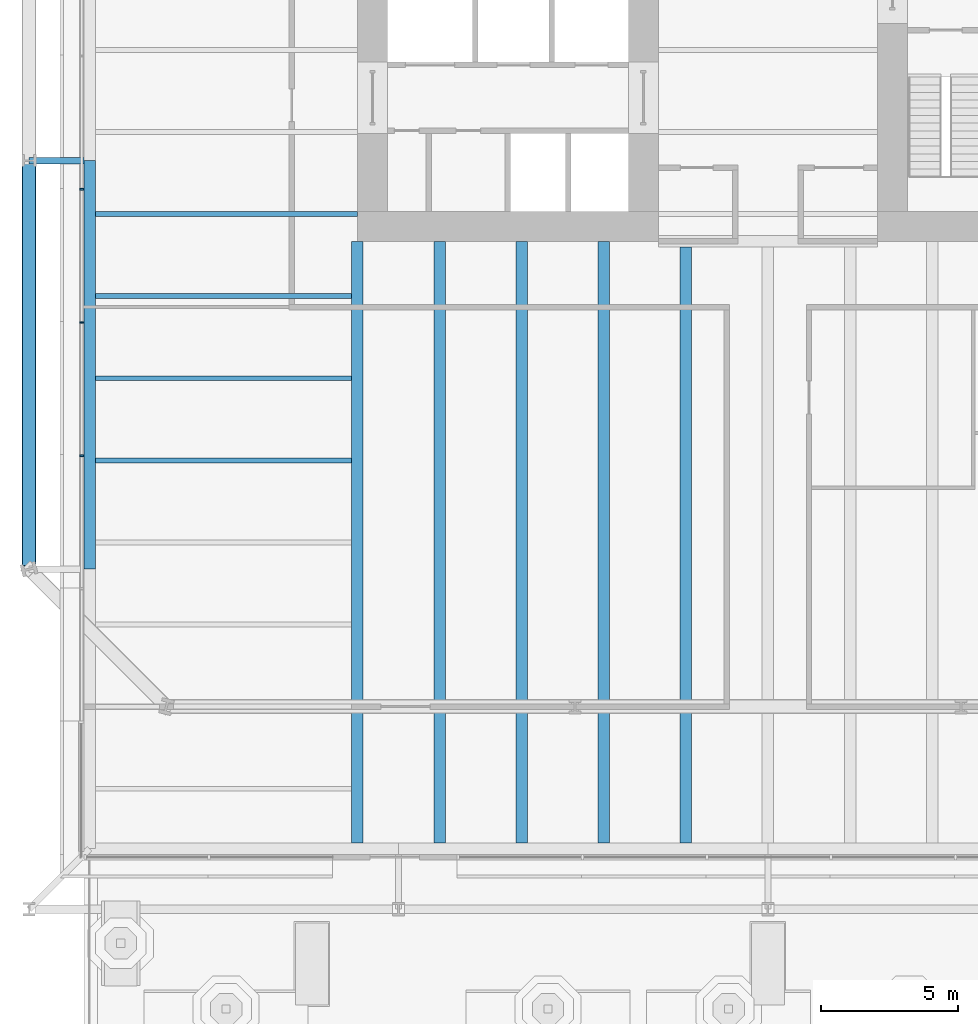
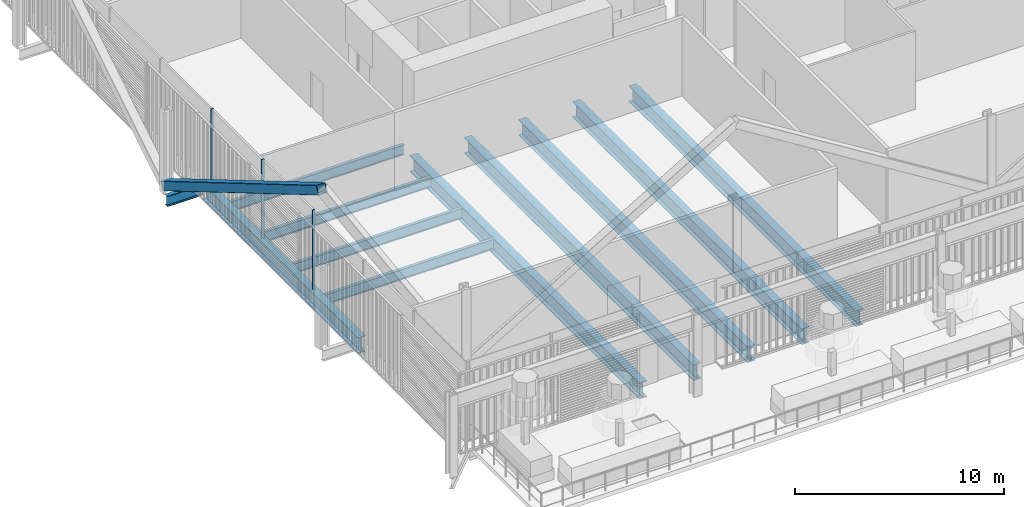
# One storey, part 4 of 26: 11 beams, 4 members, 1 element without a shape of its own.
"""IFC4 building model written with IfcOpenShell, lengths in metres."""

from ifc_helpers import new_model, si_unit, direction, frame, origin, origin_2d, place, context, subcontext, project, spatial, rectangle, hollow_rectangle, i_section, extrude, material, layer, layer_set, material_profile, profile_set, type_object, element, aggregate, save


model = new_model("IFC4")

# Units and contexts
model_context = context("Model", 3, precision=1e-05, world=origin(), true_north=direction((0.0, 1.0)))
body_context = subcontext(model_context, "Body", "Model", "MODEL_VIEW")
ifc_project = project(units=[si_unit("LENGTHUNIT", "METRE"), si_unit("AREAUNIT", "SQUARE_METRE"), si_unit("VOLUMEUNIT", "CUBIC_METRE"), si_unit("PLANEANGLEUNIT", "RADIAN"), si_unit("MASSUNIT", "GRAM", prefix="KILO")], contexts=[model_context])

# Site, building, storey
site_placement = place(None, origin())
site = spatial("IfcSite", under=ifc_project, at=site_placement, CompositionType="ELEMENT")
building_placement = place(site_placement, origin())
building = spatial("IfcBuilding", under=site, at=building_placement, Name="Millrace Tower", CompositionType="ELEMENT")
storey_placement = place(building_placement, frame((0.0, 0.0, 11.300048828125)))
storey = spatial("IfcBuildingStorey", under=building, at=storey_placement, Name="L03", CompositionType="ELEMENT", Elevation=11.300048828125)

# Curtain wall, members
ifc_material_1 = material(Name="Aluminium and glass", Category="aluminium")
ifc_layer = layer(ifc_material_1, 0.14990234375)
ifc_layer_set = layer_set([ifc_layer], Name="Aluminium and glass")
curtain_wall_type = type_object("IfcCurtainWallType", Name="CW-2 data hall insulated curtain wall", PredefinedType="NOTDEFINED", material=ifc_layer_set)
curtain_wall_placement = place(storey_placement, origin())
curtain_wall = element("IfcCurtainWall", 1, at=curtain_wall_placement, inside=storey, type_object=curtain_wall_type, Name="Curtain wall AW3-F06 L03", PredefinedType="NOTDEFINED")
ifc_material_2 = material(Name="Aluminium", Category="aluminium")
ifc_material_profile_1 = material_profile(ifc_material_2, rectangle(XDim=0.06494140625, YDim=0.14990234375, at=origin_2d()))
ifc_profile_set_1 = profile_set([ifc_material_profile_1], Name="Aluminium")
member_type_1 = type_object("IfcMemberType", Name="CW-2 data hall insulated curtain wall mullion", PredefinedType="MULLION", material=ifc_profile_set_1)
member_1_placement = place(storey_placement, frame((-25.074951171875, -8.091552734375, 0.159912109375), z_axis=(0.0, 0.0, 1.0), x_axis=(0.0, -1.0, 0.0)))
member_1 = element("IfcMember", 2, at=member_1_placement, type_object=member_type_1, Name="CW2 mullion AW3-F06.7", PredefinedType="MULLION", context=body_context, shape_type="SweptSolid", body=[
    extrude(rectangle(XDim=0.06494140625, YDim=0.14990234375, at=origin_2d()), origin(), (0.0, 0.0, 1.0), 4.64013671875),
])
member_2_placement = place(storey_placement, frame((-25.074951171875, -12.959716796875, 0.159912109375), z_axis=(0.0, 0.0, 1.0), x_axis=(0.0, -1.0, 0.0)))
member_2 = element("IfcMember", 3, at=member_2_placement, type_object=member_type_1, Name="CW2 mullion AW3-F06.8", PredefinedType="MULLION", context=body_context, shape_type="SweptSolid", body=[
    extrude(rectangle(XDim=0.06494140625, YDim=0.14990234375, at=origin_2d()), origin(), (0.0, 0.0, 1.0), 4.64013671875),
])
member_3_placement = place(storey_placement, frame((-25.074951171875, -17.827880859375, 0.159912109375), z_axis=(0.0, 0.0, 1.0), x_axis=(0.0, -1.0, 0.0)))
member_3 = element("IfcMember", 4, at=member_3_placement, type_object=member_type_1, Name="CW2 mullion AW3-F06.9", PredefinedType="MULLION", context=body_context, shape_type="SweptSolid", body=[
    extrude(rectangle(XDim=0.06494140625, YDim=0.14990234375, at=origin_2d()), origin(), (0.0, 0.0, 1.0), 4.64013671875),
])
aggregate(curtain_wall, [member_1, member_2, member_3])

# Member
ifc_material_3 = material(Name="Steel ASTM A500 Grade C", Category="steel")
ifc_material_profile_2 = material_profile(ifc_material_3, hollow_rectangle(XDim=0.508056640625, YDim=0.508056640625, WallThickness=0.022216796875, InnerFilletRadius=0.01123046875, OuterFilletRadius=0.033447265625, at=origin_2d()))
ifc_profile_set_2 = profile_set([ifc_material_profile_2], Name="Steel ASTM A500 Grade C")
member_type_2 = type_object("IfcMemberType", Name="Exoskeleton brace HSS20x20x7/8", PredefinedType="BRACE", material=ifc_profile_set_2)
member_4_placement = place(storey_placement, frame((-27.0, -7.050048828125, 0.39990234375), z_axis=(0.0, -0.861464835883, 0.507817227491), x_axis=(1.0, 0.0, 0.0)))
element("IfcMember", 5, at=member_4_placement, inside=storey, type_object=member_type_2, Name="BRC-A-L03-16", PredefinedType="BRACE", context=body_context, shape_type="SweptSolid", body=[
    extrude(hollow_rectangle(XDim=0.508056640625, YDim=0.508056640625, WallThickness=0.022216796875, InnerFilletRadius=0.01123046875, OuterFilletRadius=0.033447265625, at=origin_2d()), origin(), (0.0, 0.0, 1.0), 17.3291015625),
])

# Beams
ifc_material_4 = material(Name="Steel ASTM A992 Grade 50", Category="steel")
ifc_material_profile_3 = material_profile(ifc_material_4, i_section(OverallWidth=0.1787109375, OverallDepth=0.60205078125, WebThickness=0.010986328125, FlangeThickness=0.014892578125, FilletRadius=0.0126953125, at=origin_2d()))
ifc_profile_set_3 = profile_set([ifc_material_profile_3], Name="Steel ASTM A992 Grade 50")
beam_type_1 = type_object("IfcBeamType", Name="Floor beam W24x62", PredefinedType="JOIST", material=ifc_profile_set_3)
for number, where, z_axis, x_axis, name in (
    (6, (-24.578369140625, -18.0, -0.526123046875), (1.0, 0.0, 0.0), (0.0, 1.0, 0.0), "BM-A-L03-S1-S011"),
    (7, (-24.578369140625, -15.0, -0.526123046875), (1.0, 0.0, 0.0), (0.0, 1.0, 0.0), "BM-A-L03-S1-S013"),
    (8, (-24.578369140625, -12.0, -0.526123046875), (1.0, 0.0, 0.0), (0.0, 1.0, 0.0), "BM-A-L03-S1-S015"),
):
    element("IfcBeam", number, at=place(storey_placement, frame(where, z_axis=z_axis, x_axis=x_axis)), inside=storey, type_object=beam_type_1, Name=name, PredefinedType="JOIST", context=body_context, shape_type="SweptSolid", body=[
        extrude(i_section(OverallWidth=0.1787109375, OverallDepth=0.60205078125, WebThickness=0.010986328125, FlangeThickness=0.014892578125, FilletRadius=0.0126953125, at=origin_2d()), origin(), (0.0, 0.0, 1.0), 9.3662109375),
    ])
beam_1_placement = place(storey_placement, frame((-24.578369140625, -9.0, -0.526123046875), z_axis=(1.0, 0.0, 0.0), x_axis=(0.0, 1.0, 0.0)))
element("IfcBeam", 9, at=beam_1_placement, inside=storey, type_object=beam_type_1, Name="BM-A-L03-S1-S018", PredefinedType="JOIST", context=body_context, shape_type="SweptSolid", body=[
    extrude(i_section(OverallWidth=0.1787109375, OverallDepth=0.60205078125, WebThickness=0.010986328125, FlangeThickness=0.014892578125, FilletRadius=0.0126953125, at=origin_2d()), origin(), (0.0, 0.0, 1.0), 9.578369140625),
])
ifc_material_5 = material(Name="Steel ASTM A992 Grade 50", Category="steel")
ifc_material_profile_4 = material_profile(ifc_material_5, i_section(OverallWidth=0.419189453125, OverallDepth=0.927001953125, WebThickness=0.019287109375, FlangeThickness=0.031982421875, FilletRadius=0.024169921875, at=origin_2d()))
ifc_profile_set_4 = profile_set([ifc_material_profile_4], Name="Steel ASTM A992 Grade 50")
beam_type_2 = type_object("IfcBeamType", Name="Floor beam W36x231", PredefinedType="JOIST", material=ifc_profile_set_4)
for number, where, z_axis, x_axis, name in (
    (10, (-12.0, -31.978271484375, -0.688720703125), (0.0, 1.0, 0.0), (-1.0, 0.0, 0.0), "BM-A-L03-S1-S049"),
    (11, (-9.0, -31.978271484375, -0.688720703125), (0.0, 1.0, 0.0), (-1.0, 0.0, 0.0), "BM-A-L03-S1-S051"),
    (12, (-6.0, -31.978271484375, -0.688720703125), (0.0, 1.0, 0.0), (-1.0, 0.0, 0.0), "BM-A-L03-S1-S053"),
):
    element("IfcBeam", number, at=place(storey_placement, frame(where, z_axis=z_axis, x_axis=x_axis)), inside=storey, type_object=beam_type_2, Name=name, PredefinedType="JOIST", context=body_context, shape_type="SweptSolid", body=[
        extrude(i_section(OverallWidth=0.419189453125, OverallDepth=0.927001953125, WebThickness=0.019287109375, FlangeThickness=0.031982421875, FilletRadius=0.024169921875, at=origin_2d()), origin(), (0.0, 0.0, 1.0), 21.978271484375),
    ])
beam_2_placement = place(storey_placement, frame((-3.0, -31.978271484375, -0.688720703125), z_axis=(0.0, 1.0, 0.0), x_axis=(-1.0, 0.0, 0.0)))
element("IfcBeam", 13, at=beam_2_placement, inside=storey, type_object=beam_type_2, Name="BM-A-L03-S1-S055", PredefinedType="JOIST", context=body_context, shape_type="SweptSolid", body=[
    extrude(i_section(OverallWidth=0.419189453125, OverallDepth=0.927001953125, WebThickness=0.019287109375, FlangeThickness=0.031982421875, FilletRadius=0.024169921875, at=origin_2d()), origin(), (0.0, 0.0, 1.0), 21.76611328125),
])
ifc_material_6 = material(Name="Steel ASTM A992 Grade 50", Category="steel")
ifc_material_profile_5 = material_profile(ifc_material_6, i_section(OverallWidth=0.421630859375, OverallDepth=0.95751953125, WebThickness=0.02587890625, FlangeThickness=0.046875, FilletRadius=0.024169921875, at=origin_2d()))
ifc_profile_set_5 = profile_set([ifc_material_profile_5], Name="Steel ASTM A992 Grade 50")
beam_type_3 = type_object("IfcBeamType", Name="Girder long span W36x330", PredefinedType="BEAM", material=ifc_profile_set_5)
beam_3_placement = place(storey_placement, frame((-15.0, -31.978271484375, -0.703857421875), z_axis=(0.0, 1.0, 0.0), x_axis=(-1.0, 0.0, 0.0)))
element("IfcBeam", 14, at=beam_3_placement, inside=storey, type_object=beam_type_3, Name="BM-A-L03-S1-G067", PredefinedType="BEAM", context=body_context, shape_type="SweptSolid", body=[
    extrude(i_section(OverallWidth=0.421630859375, OverallDepth=0.95751953125, WebThickness=0.02587890625, FlangeThickness=0.046875, FilletRadius=0.024169921875, at=origin_2d()), origin(), (0.0, 0.0, 1.0), 21.978271484375),
])
ifc_material_7 = material(Name="Steel ASTM A992 Grade 50", Category="steel")
ifc_material_profile_6 = material_profile(ifc_material_7, i_section(OverallWidth=0.23046875, OverallDepth=0.6171875, WebThickness=0.01318359375, FlangeThickness=0.022216796875, FilletRadius=0.012939453125, at=origin_2d()))
ifc_profile_set_6 = profile_set([ifc_material_profile_6], Name="Steel ASTM A992 Grade 50")
beam_type_4 = type_object("IfcBeamType", Name="Link beam W24x94", PredefinedType="BEAM", material=ifc_profile_set_6)
beam_4_placement = place(storey_placement, frame((-25.0, -7.050048828125, -0.53369140625), z_axis=(-1.0, 0.0, 0.0), x_axis=(0.0, -1.0, 0.0)))
element("IfcBeam", 15, at=beam_4_placement, inside=storey, type_object=beam_type_4, Name="LNK-A-L03-S1-03", PredefinedType="BEAM", context=body_context, shape_type="SweptSolid", body=[
    extrude(i_section(OverallWidth=0.23046875, OverallDepth=0.6171875, WebThickness=0.01318359375, FlangeThickness=0.022216796875, FilletRadius=0.012939453125, at=origin_2d()), origin(), (0.0, 0.0, 1.0), 2.0),
])
ifc_material_8 = material(Name="Steel ASTM A992 Grade 50", Category="steel")
ifc_material_profile_7 = material_profile(ifc_material_8, i_section(OverallWidth=0.421630859375, OverallDepth=0.937255859375, WebThickness=0.021240234375, FlangeThickness=0.03662109375, FilletRadius=0.024169921875, at=origin_2d()))
ifc_profile_set_7 = profile_set([ifc_material_profile_7], Name="Steel ASTM A992 Grade 50")
beam_type_5 = type_object("IfcBeamType", Name="Ring beam medium span W36x262", PredefinedType="SPANDREL", material=ifc_profile_set_7)
beam_5_placement = place(storey_placement, frame((-24.7890625, -21.978515625, -0.693603515625), z_axis=(0.0, 1.0, 0.0), x_axis=(-1.0, 0.0, 0.0)))
element("IfcBeam", 16, at=beam_5_placement, inside=storey, type_object=beam_type_5, Name="RNG-A-L03-S1-02", PredefinedType="SPANDREL", context=body_context, shape_type="SweptSolid", body=[
    extrude(i_section(OverallWidth=0.421630859375, OverallDepth=0.937255859375, WebThickness=0.021240234375, FlangeThickness=0.03662109375, FilletRadius=0.024169921875, at=origin_2d()), origin(), (0.0, 0.0, 1.0), 14.928466796875),
])

save(model, "model.ifc")
